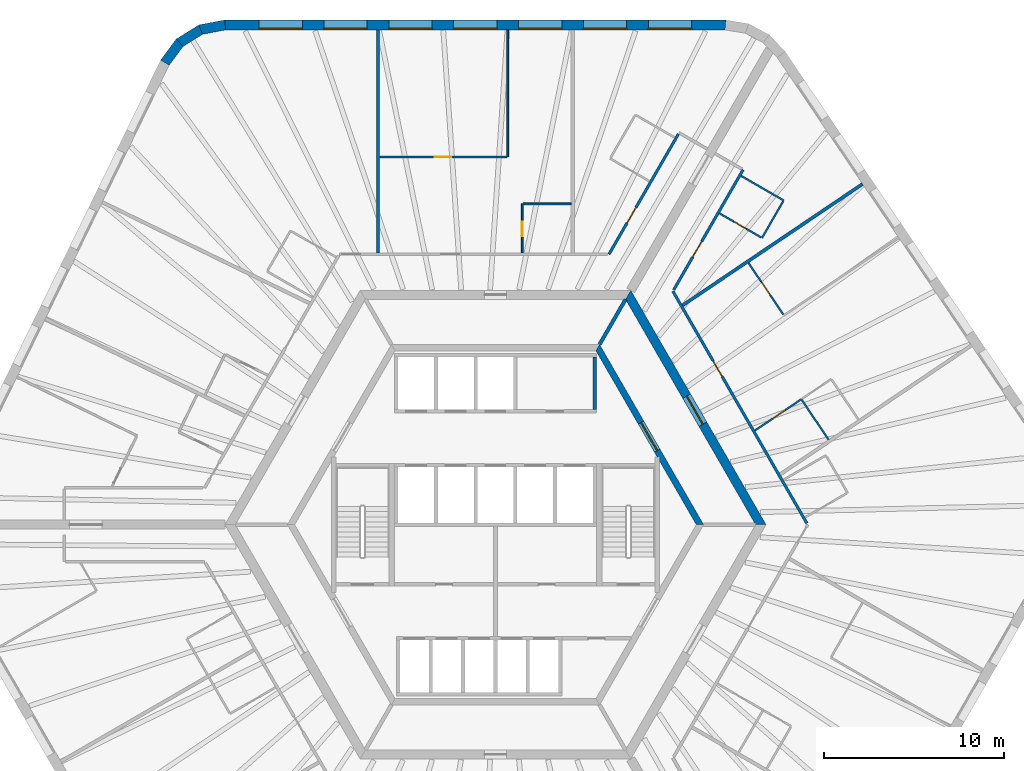
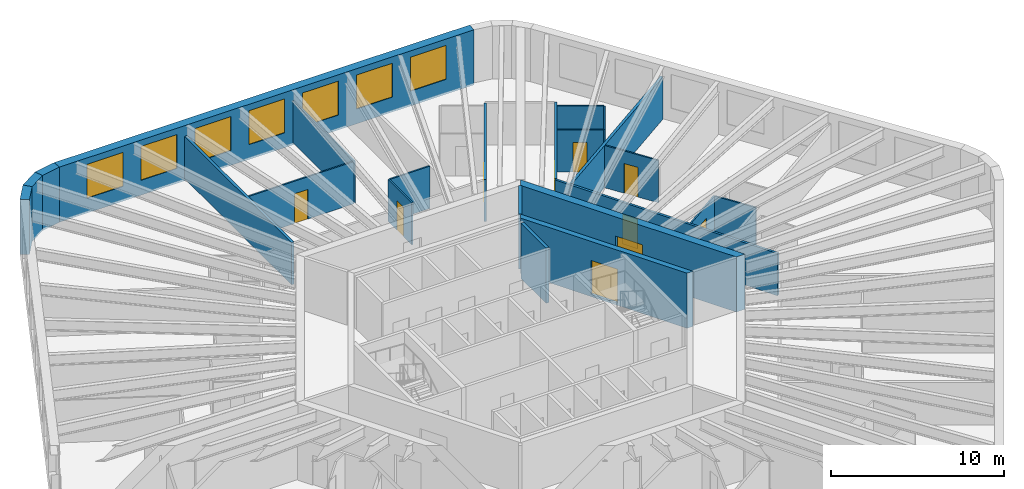
# One storey, part 8 of 10: 23 walls, 10 doors, 7 windows, 17 openings.
"""IFC4 building model written with IfcOpenShell, lengths in metres."""

from ifc_helpers import new_model, si_unit, direction, frame, frame_2d, origin, place, context, subcontext, project, spatial, polyline, rectangle, outline, extrude, material, layer, layer_set, type_object, element, fill, save


model = new_model("IFC4")

# Units and contexts
model_context = context("Model", 3, precision=1e-05, world=origin(), true_north=direction((0.0, 1.0)))
body_context = subcontext(model_context, "Body", "Model", "MODEL_VIEW")
ifc_project = project(units=[si_unit("LENGTHUNIT", "METRE"), si_unit("AREAUNIT", "SQUARE_METRE"), si_unit("VOLUMEUNIT", "CUBIC_METRE"), si_unit("PLANEANGLEUNIT", "RADIAN"), si_unit("MASSUNIT", "GRAM", prefix="KILO")], contexts=[model_context])

# Site, building, storey
site_placement = place(None, origin())
site = spatial("IfcSite", under=ifc_project, at=site_placement, CompositionType="ELEMENT")
building_placement = place(site_placement, origin())
building = spatial("IfcBuilding", under=site, at=building_placement, Name="Tarnside Tower", CompositionType="ELEMENT")
storey_placement = place(building_placement, frame((0.0, 0.0, 191.699951171875)))
storey = spatial("IfcBuildingStorey", under=building, at=storey_placement, Name="L45", CompositionType="ELEMENT", Elevation=191.699951171875)

# Wall, opening, door
ifc_material_1 = material(Name="Gypsum board partition on steel studs", Category="steel")
ifc_layer_1 = layer(ifc_material_1, 0.10009765625)
ifc_layer_set_1 = layer_set([ifc_layer_1], Name="Bathroom wall 100")
wall_type_1 = type_object("IfcWallType", Name="Bathroom wall 100", PredefinedType="PARTITIONING", material=ifc_layer_set_1)
wall_1_placement = place(storey_placement, frame((1.482177734375, 15.074951171875, 0.0), z_axis=(0.0, 0.0, 1.0), x_axis=(0.0, 1.0, 0.0)))
wall_1 = element("IfcWall", 1, at=wall_1_placement, inside=storey, type_object=wall_type_1, Name="Bathroom wall 14058", PredefinedType="PARTITIONING", context=body_context, shape_type="SweptSolid", body=[
    extrude(rectangle(XDim=2.72509765625, YDim=0.10009765625, at=frame_2d((1.362548828125, 0.0))), origin(), (0.0, 0.0, 1.0), 2.98779296875),
])
opening_1_placement = place(wall_1_placement, frame((0.925048828125, 0.0, 0.0)))
opening_1 = element("IfcOpeningElement", 2, at=opening_1_placement, cuts=wall_1, Name="Opening D-B1", PredefinedType="OPENING", context=body_context, shape_type="SweptSolid", body=[
    extrude(rectangle(XDim=0.800048828125, YDim=2.10009765625, at=frame_2d((0.39990234375, 1.050048828125))), frame((0.0, 0.06005859375, 0.0), z_axis=(0.0, -1.0, 0.0), x_axis=(1.0, 0.0, 0.0)), (0.0, 0.0, 1.0), 0.1201171875),
])
ifc_material_2 = material(Name="Timber door leaf", Category="wood")
door_type_1 = type_object("IfcDoorType", Name="Bathroom door 800", OperationType="NOTDEFINED", PredefinedType="DOOR", material=ifc_material_2)
door_1_placement = place(opening_1_placement, origin())
door_1 = element("IfcDoor", 3, at=door_1_placement, inside=storey, type_object=door_type_1, Name="Bathroom door 14004", OperationType="SINGLE_SWING_RIGHT", OverallHeight=2.10009765625, OverallWidth=0.800048828125, PredefinedType="DOOR", context=body_context, shape_type="SweptSolid", body=[
    extrude(rectangle(XDim=0.800048828125, YDim=2.10009765625, at=frame_2d((0.39990234375, 1.050048828125))), frame((0.0, 0.02490234375, 0.0), z_axis=(0.0, -1.0, 0.0), x_axis=(1.0, 0.0, 0.0)), (0.0, 0.0, 1.0), 0.050048828125),
])
fill(opening_1, door_1)

# Wall
wall_2_placement = place(storey_placement, frame((1.5322265625, 17.800048828125, 0.0), z_axis=(0.0, 0.0, 1.0), x_axis=(1.0, 0.0, 0.0)))
element("IfcWall", 4, at=wall_2_placement, inside=storey, type_object=wall_type_1, Name="Bathroom wall 14059", PredefinedType="PARTITIONING", context=body_context, shape_type="SweptSolid", body=[
    extrude(rectangle(XDim=2.659912109375, YDim=0.10009765625, at=frame_2d((1.330078125, 0.0))), origin(), (0.0, 0.0, 1.0), 2.98779296875),
])

# Wall, opening, door
wall_3_placement = place(storey_placement, frame((14.391845703125, 5.22265625, 0.0), z_axis=(0.0, 0.0, 1.0), x_axis=(0.829015360708, 0.559225832477, 0.0)))
wall_3 = element("IfcWall", 5, at=wall_3_placement, inside=storey, type_object=wall_type_1, Name="Bathroom wall 14120", PredefinedType="PARTITIONING", context=body_context, shape_type="SweptSolid", body=[
    extrude(rectangle(XDim=3.106689453125, YDim=0.10009765625, at=frame_2d((1.55322265625, 0.0))), origin(), (0.0, 0.0, 1.0), 2.98779296875),
])
opening_2_placement = place(wall_3_placement, frame((1.20654296875, 0.0, 0.0)))
opening_2 = element("IfcOpeningElement", 6, at=opening_2_placement, cuts=wall_3, Name="Opening D-B1", PredefinedType="OPENING", context=body_context, shape_type="SweptSolid", body=[
    extrude(rectangle(XDim=0.800048828125, YDim=2.10009765625, at=frame_2d((0.39990234375, 1.050048828125))), frame((0.0, 0.06005859375, 0.0), z_axis=(0.0, -1.0, 0.0), x_axis=(1.0, 0.0, 0.0)), (0.0, 0.0, 1.0), 0.1201171875),
])
door_2_placement = place(opening_2_placement, origin())
door_2 = element("IfcDoor", 7, at=door_2_placement, inside=storey, type_object=door_type_1, Name="Bathroom door 14034", OperationType="SINGLE_SWING_LEFT", OverallHeight=2.10009765625, OverallWidth=0.800048828125, PredefinedType="DOOR", context=body_context, shape_type="SweptSolid", body=[
    extrude(rectangle(XDim=0.800048828125, YDim=2.10009765625, at=frame_2d((0.39990234375, 1.050048828125))), frame((0.0, 0.02490234375, 0.0), z_axis=(0.0, -1.0, 0.0), x_axis=(1.0, 0.0, 0.0)), (0.0, 0.0, 1.0), 0.050048828125),
])
fill(opening_2, door_2)

# Walls
wall_4_placement = place(storey_placement, frame((18.482666015625, 4.713134765625, 0.0), z_axis=(0.0, 0.0, 1.0), x_axis=(-0.559140201119, 0.829073118303, 0.0)))
element("IfcWall", 8, at=wall_4_placement, inside=storey, type_object=wall_type_1, Name="Bathroom wall 14126", PredefinedType="PARTITIONING", context=body_context, shape_type="SweptSolid", body=[
    extrude(rectangle(XDim=2.659912109375, YDim=0.10009765625, at=frame_2d((1.330078125, 0.0))), origin(), (0.0, 0.0, 1.0), 2.98779296875),
])
wall_5_placement = place(storey_placement, frame((13.626708984375, 19.352294921875, 0.0), z_axis=(0.0, 0.0, 1.0), x_axis=(0.866012511928, -0.500022328685, 0.0)))
element("IfcWall", 9, at=wall_5_placement, inside=storey, type_object=wall_type_1, Name="Bathroom wall 14128", PredefinedType="PARTITIONING", context=body_context, shape_type="SweptSolid", body=[
    extrude(rectangle(XDim=2.72509765625, YDim=0.10009765625, at=frame_2d((1.362548828125, 0.0))), origin(), (0.0, 0.0, 1.0), 2.98779296875),
])
wall_6_placement = place(storey_placement, frame((15.961669921875, 17.946533203125, 0.0), z_axis=(0.0, 0.0, 1.0), x_axis=(-0.500016218704, -0.866016039709, 0.0)))
element("IfcWall", 10, at=wall_6_placement, inside=storey, type_object=wall_type_1, Name="Bathroom wall 14129", PredefinedType="PARTITIONING", context=body_context, shape_type="SweptSolid", body=[
    extrude(rectangle(XDim=2.35009765625, YDim=0.10009765625, at=frame_2d((1.175048828125, 0.0))), origin(), (0.0, 0.0, 1.0), 2.98779296875),
])

# Wall, opening, door
wall_7_placement = place(storey_placement, frame((14.743408203125, 15.936279296875, 0.0), z_axis=(0.0, 0.0, 1.0), x_axis=(-0.86604424267, 0.499967368674, 0.0)))
wall_7 = element("IfcWall", 11, at=wall_7_placement, inside=storey, type_object=wall_type_1, Name="Bathroom wall 14130", PredefinedType="PARTITIONING", context=body_context, shape_type="SweptSolid", body=[
    extrude(rectangle(XDim=2.675048828125, YDim=0.10009765625, at=frame_2d((1.33740234375, 0.0))), origin(), (0.0, 0.0, 1.0), 2.98779296875),
])
opening_3_placement = place(wall_7_placement, frame((0.949951171875, 0.0, 0.0)))
opening_3 = element("IfcOpeningElement", 12, at=opening_3_placement, cuts=wall_7, Name="Opening D-B1", PredefinedType="OPENING", context=body_context, shape_type="SweptSolid", body=[
    extrude(rectangle(XDim=0.800048828125, YDim=2.10009765625, at=frame_2d((0.39990234375, 1.050048828125))), frame((0.0, 0.06005859375, 0.0), z_axis=(0.0, -1.0, 0.0), x_axis=(1.0, 0.0, 0.0)), (0.0, 0.0, 1.0), 0.1201171875),
])
door_3_placement = place(opening_3_placement, origin())
door_3 = element("IfcDoor", 13, at=door_3_placement, inside=storey, type_object=door_type_1, Name="Bathroom door 14038", OperationType="SINGLE_SWING_RIGHT", OverallHeight=2.10009765625, OverallWidth=0.800048828125, PredefinedType="DOOR", context=body_context, shape_type="SweptSolid", body=[
    extrude(rectangle(XDim=0.800048828125, YDim=2.10009765625, at=frame_2d((0.39990234375, 1.050048828125))), frame((0.0, 0.02490234375, 0.0), z_axis=(0.0, -1.0, 0.0), x_axis=(1.0, 0.0, 0.0)), (0.0, 0.0, 1.0), 0.050048828125),
])
fill(opening_3, door_3)

ifc_material_3 = material(Name="Concrete C50/60", Category="concrete")
ifc_layer_2 = layer(ifc_material_3, 0.35009765625)
ifc_layer_set_2 = layer_set([ifc_layer_2], Name="Core block wall 350 C50/60")
wall_type_2 = type_object("IfcWallType", Name="Core block wall 350 C50/60", PredefinedType="SHEAR", material=ifc_layer_set_2)
wall_8_placement = place(storey_placement, frame((11.344970703125, 0.0, -0.14990234375), z_axis=(0.0, 0.0, 1.0), x_axis=(-0.499995046907, 0.866028263435, 0.0)))
wall_8 = element("IfcWall", 14, at=wall_8_placement, inside=storey, type_object=wall_type_2, Name="L45 core block wall face 6", PredefinedType="SHEAR", context=body_context, shape_type="SweptSolid", body=[
    extrude(outline(polyline([(-0.10107421875, -0.175048828125), (11.44580078125, -0.175048828125), (11.24365234375, 0.175048828125), (0.10107421875, 0.175048828125), (-0.10107421875, -0.175048828125)])), origin(), (0.0, 0.0, 1.0), 3.89990234375),
])
opening_4_placement = place(wall_8_placement, frame((4.74365234375, 0.0, 0.14990234375)))
opening_4 = element("IfcOpeningElement", 15, at=opening_4_placement, cuts=wall_8, Name="Opening CD-LOB", PredefinedType="OPENING", context=body_context, shape_type="SweptSolid", body=[
    extrude(rectangle(XDim=1.800048828125, YDim=2.39990234375, at=frame_2d((0.89990234375, 1.199951171875))), frame((0.0, 0.18505859375, 0.0), z_axis=(0.0, -1.0, 0.0), x_axis=(1.0, 0.0, 0.0)), (0.0, 0.0, 1.0), 0.3701171875),
])
ifc_material_4 = material(Name="Steel fire door", Category="steel")
door_type_2 = type_object("IfcDoorType", Name="Lobby double door FD30S 1800x2400", OperationType="NOTDEFINED", PredefinedType="DOOR", material=ifc_material_4)
door_4_placement = place(opening_4_placement, origin())
door_4 = element("IfcDoor", 16, at=door_4_placement, inside=storey, type_object=door_type_2, Name="L45 lobby block door P2", OperationType="DOUBLE_DOOR_SINGLE_SWING", OverallHeight=2.39990234375, OverallWidth=1.800048828125, PredefinedType="DOOR", context=body_context, shape_type="SweptSolid", body=[
    extrude(rectangle(XDim=1.800048828125, YDim=2.39990234375, at=frame_2d((0.89990234375, 1.199951171875))), frame((0.0, 0.02490234375, 0.0), z_axis=(0.0, -1.0, 0.0), x_axis=(1.0, 0.0, 0.0)), (0.0, 0.0, 1.0), 0.050048828125),
])
fill(opening_4, door_4)

ifc_material_5 = material(Name="Concrete C70/85", Category="concrete")
ifc_layer_3 = layer(ifc_material_5, 0.5)
ifc_layer_set_3 = layer_set([ifc_layer_3], Name="Core wall Z2 500 C70/85")
wall_type_3 = type_object("IfcWallType", Name="Core wall Z2 500 C70/85", PredefinedType="SHEAR", material=ifc_layer_set_3)
wall_9_placement = place(storey_placement, frame((14.722412109375, 0.0, -0.14990234375), z_axis=(0.0, 0.0, 1.0), x_axis=(-0.50000571537, 0.866022103989, 0.0)))
wall_9 = element("IfcWall", 17, at=wall_9_placement, inside=storey, type_object=wall_type_3, Name="L45 core wall face 6", PredefinedType="SHEAR", context=body_context, shape_type="SweptSolid", body=[
    extrude(outline(polyline([(-0.144287109375, -0.25), (14.86669921875, -0.25), (14.578125, 0.25), (0.144287109375, 0.25), (-0.144287109375, -0.25)])), origin(), (0.0, 0.0, 1.0), 3.89990234375),
])
opening_5_placement = place(wall_9_placement, frame((6.432373046875, 0.0, 0.14990234375)))
opening_5 = element("IfcOpeningElement", 18, at=opening_5_placement, cuts=wall_9, Name="Opening CD-LOB", PredefinedType="OPENING", context=body_context, shape_type="SweptSolid", body=[
    extrude(rectangle(XDim=1.800048828125, YDim=2.39990234375, at=frame_2d((0.89990234375, 1.199951171875))), frame((0.0, 0.260009765625, 0.0), z_axis=(0.0, -1.0, 0.0), x_axis=(1.0, 0.0, 0.0)), (0.0, 0.0, 1.0), 0.52001953125),
])
door_5_placement = place(opening_5_placement, origin())
door_5 = element("IfcDoor", 19, at=door_5_placement, inside=storey, type_object=door_type_2, Name="L45 core door P2", OperationType="DOUBLE_DOOR_SINGLE_SWING", OverallHeight=2.39990234375, OverallWidth=1.800048828125, PredefinedType="DOOR", context=body_context, shape_type="SweptSolid", body=[
    extrude(rectangle(XDim=1.800048828125, YDim=2.39990234375, at=frame_2d((0.89990234375, 1.199951171875))), frame((0.0, 0.02490234375, 0.0), z_axis=(0.0, -1.0, 0.0), x_axis=(1.0, 0.0, 0.0)), (0.0, 0.0, 1.0), 0.050048828125),
])
fill(opening_5, door_5)

ifc_layer_4 = layer(ifc_material_1, 0.14990234375)
ifc_layer_set_4 = layer_set([ifc_layer_4], Name="Corridor wall 150 EI 60")
wall_type_4 = type_object("IfcWallType", Name="Corridor wall 150 EI 60", PredefinedType="PARTITIONING", material=ifc_layer_set_4)
wall_10_placement = place(storey_placement, frame((10.148681640625, 21.677978515625, 0.0), z_axis=(0.0, 0.0, 1.0), x_axis=(-0.499993780622, -0.866028994514, 0.0)))
wall_10 = element("IfcWall", 20, at=wall_10_placement, inside=storey, type_object=wall_type_4, Name="Corridor wall 14001", PredefinedType="PARTITIONING", context=body_context, shape_type="SweptSolid", body=[
    extrude(rectangle(XDim=7.7109375, YDim=0.14990234375, at=frame_2d((3.85546875, 0.0))), origin(), (0.0, 0.0, 1.0), 2.98779296875),
])
opening_6_placement = place(wall_10_placement, frame((4.718017578125, 0.0, 0.0)))
opening_6 = element("IfcOpeningElement", 21, at=opening_6_placement, cuts=wall_10, Name="Opening D-E1", PredefinedType="OPENING", context=body_context, shape_type="SweptSolid", body=[
    extrude(rectangle(XDim=1.0, YDim=2.10009765625, at=frame_2d((0.5, 1.050048828125))), frame((0.0, 0.0849609375, 0.0), z_axis=(0.0, -1.0, 0.0), x_axis=(1.0, 0.0, 0.0)), (0.0, 0.0, 1.0), 0.169921875),
])
door_type_3 = type_object("IfcDoorType", Name="Unit entrance door 1000 FD30S", OperationType="NOTDEFINED", PredefinedType="DOOR", material=ifc_material_2)
door_6_placement = place(opening_6_placement, origin())
door_6 = element("IfcDoor", 22, at=door_6_placement, inside=storey, type_object=door_type_3, Name="Unit door 14001", OperationType="SINGLE_SWING_LEFT", OverallHeight=2.10009765625, OverallWidth=1.0, PredefinedType="DOOR", context=body_context, shape_type="SweptSolid", body=[
    extrude(rectangle(XDim=1.0, YDim=2.10009765625, at=frame_2d((0.5, 1.050048828125))), frame((0.0, 0.02490234375, 0.0), z_axis=(0.0, -1.0, 0.0), x_axis=(1.0, 0.0, 0.0)), (0.0, 0.0, 1.0), 0.050048828125),
])
fill(opening_6, door_6)

wall_11_placement = place(storey_placement, frame((17.277099609375, 0.074951171875, 0.0), z_axis=(0.0, 0.0, 1.0), x_axis=(-0.499998228944, 0.866026426302, 0.0)))
wall_11 = element("IfcWall", 23, at=wall_11_placement, inside=storey, type_object=wall_type_4, Name="Corridor wall 14042", PredefinedType="PARTITIONING", context=body_context, shape_type="SweptSolid", body=[
    extrude(rectangle(XDim=14.86669921875, YDim=0.14990234375, at=frame_2d((7.433349609375, 0.0))), origin(), (0.0, 0.0, 1.0), 2.98779296875),
])
opening_7_placement = place(wall_11_placement, frame((9.3984375, 0.0, 0.0)))
opening_7 = element("IfcOpeningElement", 24, at=opening_7_placement, cuts=wall_11, Name="Opening D-E1", PredefinedType="OPENING", context=body_context, shape_type="SweptSolid", body=[
    extrude(rectangle(XDim=1.0, YDim=2.10009765625, at=frame_2d((0.5, 1.050048828125))), frame((0.0, 0.0849609375, 0.0), z_axis=(0.0, -1.0, 0.0), x_axis=(1.0, 0.0, 0.0)), (0.0, 0.0, 1.0), 0.169921875),
])
door_7_placement = place(opening_7_placement, origin())
door_7 = element("IfcDoor", 25, at=door_7_placement, inside=storey, type_object=door_type_3, Name="Unit door 14033", OperationType="SINGLE_SWING_RIGHT", OverallHeight=2.10009765625, OverallWidth=1.0, PredefinedType="DOOR", context=body_context, shape_type="SweptSolid", body=[
    extrude(rectangle(XDim=1.0, YDim=2.10009765625, at=frame_2d((0.5, 1.050048828125))), frame((0.0, 0.02490234375, 0.0), z_axis=(0.0, -1.0, 0.0), x_axis=(1.0, 0.0, 0.0)), (0.0, 0.0, 1.0), 0.050048828125),
])
fill(opening_7, door_7)

wall_12_placement = place(storey_placement, frame((9.88720703125, 13.02490234375, 0.0), z_axis=(0.0, 0.0, 1.0), x_axis=(0.499985955615, 0.866033512162, 0.0)))
wall_12 = element("IfcWall", 26, at=wall_12_placement, inside=storey, type_object=wall_type_4, Name="Corridor wall 14049", PredefinedType="PARTITIONING", context=body_context, shape_type="SweptSolid", body=[
    extrude(rectangle(XDim=7.699462890625, YDim=0.14990234375, at=frame_2d((3.849609375, 0.0))), origin(), (0.0, 0.0, 1.0), 2.98779296875),
])
opening_8_placement = place(wall_12_placement, frame((2.1064453125, 0.0, 0.0)))
opening_8 = element("IfcOpeningElement", 27, at=opening_8_placement, cuts=wall_12, Name="Opening D-E1", PredefinedType="OPENING", context=body_context, shape_type="SweptSolid", body=[
    extrude(rectangle(XDim=1.0, YDim=2.10009765625, at=frame_2d((0.5, 1.050048828125))), frame((0.0, 0.0849609375, 0.0), z_axis=(0.0, -1.0, 0.0), x_axis=(1.0, 0.0, 0.0)), (0.0, 0.0, 1.0), 0.169921875),
])
door_8_placement = place(opening_8_placement, origin())
door_8 = element("IfcDoor", 28, at=door_8_placement, inside=storey, type_object=door_type_3, Name="Unit door 14037", OperationType="SINGLE_SWING_RIGHT", OverallHeight=2.10009765625, OverallWidth=1.0, PredefinedType="DOOR", context=body_context, shape_type="SweptSolid", body=[
    extrude(rectangle(XDim=1.0, YDim=2.10009765625, at=frame_2d((0.5, 1.050048828125))), frame((0.0, 0.02490234375, 0.0), z_axis=(0.0, -1.0, 0.0), x_axis=(1.0, 0.0, 0.0)), (0.0, 0.0, 1.0), 0.050048828125),
])
fill(opening_8, door_8)

# Walls
ifc_layer_5 = layer(ifc_material_1, 0.179931640625)
ifc_layer_set_5 = layer_set([ifc_layer_5], Name="Demising wall 180 EI 60")
wall_type_5 = type_object("IfcWallType", Name="Demising wall 180 EI 60", PredefinedType="PARTITIONING", material=ifc_layer_set_5)
wall_13_placement = place(storey_placement, frame((-6.517822265625, 27.449951171875, 0.0), z_axis=(0.0, 0.0, 1.0), x_axis=(0.0, -1.0, 0.0)))
element("IfcWall", 29, at=wall_13_placement, inside=storey, type_object=wall_type_5, Name="Demising wall 14062", PredefinedType="PARTITIONING", context=body_context, shape_type="SweptSolid", body=[
    extrude(rectangle(XDim=12.375, YDim=0.179931640625, at=frame_2d((6.1875, 0.0))), origin(), (0.0, 0.0, 1.0), 2.98779296875),
])
wall_14_placement = place(storey_placement, frame((20.362548828125, 18.89990234375, 0.0), z_axis=(0.0, 0.0, 1.0), x_axis=(-0.829027307641, -0.559208121531, 0.0)))
element("IfcWall", 30, at=wall_14_placement, inside=storey, type_object=wall_type_5, Name="Demising wall 14125", PredefinedType="PARTITIONING", context=body_context, shape_type="SweptSolid", body=[
    extrude(rectangle(XDim=12.038818359375, YDim=0.179931640625, at=frame_2d((6.01953125, 0.0))), origin(), (0.0, 0.0, 1.0), 2.98779296875),
])
ifc_material_6 = material(Name="Concrete C40/50", Category="concrete")
ifc_layer_6 = layer(ifc_material_6, 0.199951171875)
ifc_layer_set_6 = layer_set([ifc_layer_6], Name="Lift shaft wall 200 C40/50")
wall_type_6 = type_object("IfcWallType", Name="Lift shaft wall 200 C40/50", PredefinedType="SHEAR", material=ifc_layer_set_6)
wall_15_placement = place(storey_placement, frame((5.5, 6.39990234375, -0.25), z_axis=(0.0, 0.0, 1.0), x_axis=(0.0, 1.0, 0.0)))
element("IfcWall", 31, at=wall_15_placement, inside=storey, type_object=wall_type_6, Name="L45 lift shaft partition R16", PredefinedType="SHEAR", context=body_context, shape_type="SweptSolid", body=[
    extrude(rectangle(XDim=2.900146484375, YDim=0.199951171875, at=frame_2d((1.4501953125, 0.0))), origin(), (0.0, 0.0, 1.0), 3.900146484375),
])
wall_16_placement = place(storey_placement, frame((5.7734375, 10.0, -0.14990234375), z_axis=(0.0, 0.0, 1.0), x_axis=(0.499995765644, 0.866027848477, 0.0)))
element("IfcWall", 32, at=wall_16_placement, inside=storey, type_object=wall_type_6, Name="L45 core partition AR60", PredefinedType="SHEAR", context=body_context, shape_type="SweptSolid", body=[
    extrude(rectangle(XDim=2.88671875, YDim=0.199951171875, at=frame_2d((1.443359375, 0.0))), origin(), (0.0, 0.0, 1.0), 3.89990234375),
])
ifc_layer_7 = layer(ifc_material_1, 0.10009765625)
ifc_layer_set_7 = layer_set([ifc_layer_7], Name="Partition 100")
wall_type_7 = type_object("IfcWallType", Name="Partition 100", PredefinedType="PARTITIONING", material=ifc_layer_set_7)
wall_17_placement = place(storey_placement, frame((0.68212890625, 27.449951171875, 0.0), z_axis=(0.0, 0.0, 1.0), x_axis=(0.0, -1.0, 0.0)))
element("IfcWall", 33, at=wall_17_placement, inside=storey, type_object=wall_type_7, Name="Partition wall 14060", PredefinedType="PARTITIONING", context=body_context, shape_type="SweptSolid", body=[
    extrude(rectangle(XDim=7.050048828125, YDim=0.10009765625, at=frame_2d((3.52490234375, 0.0))), origin(), (0.0, 0.0, 1.0), 2.98779296875),
])

# Wall, opening, door
wall_18_placement = place(storey_placement, frame((0.632080078125, 20.39990234375, 0.0), z_axis=(0.0, 0.0, 1.0), x_axis=(-1.0, 0.0, 0.0)))
wall_18 = element("IfcWall", 34, at=wall_18_placement, inside=storey, type_object=wall_type_7, Name="Partition wall 14061", PredefinedType="PARTITIONING", context=body_context, shape_type="SweptSolid", body=[
    extrude(rectangle(XDim=7.06005859375, YDim=0.10009765625, at=frame_2d((3.530029296875, 0.0))), origin(), (0.0, 0.0, 1.0), 2.98779296875),
])
opening_9_placement = place(wall_18_placement, frame((3.10009765625, 0.0, 0.0)))
opening_9 = element("IfcOpeningElement", 35, at=opening_9_placement, cuts=wall_18, Name="Opening D-I1", PredefinedType="OPENING", context=body_context, shape_type="SweptSolid", body=[
    extrude(rectangle(XDim=0.89990234375, YDim=2.10009765625, at=frame_2d((0.449951171875, 1.050048828125))), frame((0.0, 0.06005859375, 0.0), z_axis=(0.0, -1.0, 0.0), x_axis=(1.0, 0.0, 0.0)), (0.0, 0.0, 1.0), 0.1201171875),
])
door_type_4 = type_object("IfcDoorType", Name="Internal door 900", OperationType="NOTDEFINED", PredefinedType="DOOR", material=ifc_material_2)
door_9_placement = place(opening_9_placement, origin())
door_9 = element("IfcDoor", 36, at=door_9_placement, inside=storey, type_object=door_type_4, Name="Internal door 14005", OperationType="SINGLE_SWING_LEFT", OverallHeight=2.10009765625, OverallWidth=0.89990234375, PredefinedType="DOOR", context=body_context, shape_type="SweptSolid", body=[
    extrude(rectangle(XDim=0.89990234375, YDim=2.10009765625, at=frame_2d((0.449951171875, 1.050048828125))), frame((0.0, 0.02490234375, 0.0), z_axis=(0.0, -1.0, 0.0), x_axis=(1.0, 0.0, 0.0)), (0.0, 0.0, 1.0), 0.050048828125),
])
fill(opening_9, door_9)

wall_19_placement = place(storey_placement, frame((15.97119140625, 11.65576171875, 0.0), z_axis=(0.0, 0.0, 1.0), x_axis=(-0.559202575539, 0.829031048581, 0.0)))
wall_19 = element("IfcWall", 37, at=wall_19_placement, inside=storey, type_object=wall_type_7, Name="Partition wall 14124", PredefinedType="PARTITIONING", context=body_context, shape_type="SweptSolid", body=[
    extrude(rectangle(XDim=3.4599609375, YDim=0.10009765625, at=frame_2d((1.72998046875, 0.0))), origin(), (0.0, 0.0, 1.0), 2.98779296875),
])
opening_10_placement = place(wall_19_placement, frame((1.300048828125, 0.0, 0.0)))
opening_10 = element("IfcOpeningElement", 38, at=opening_10_placement, cuts=wall_19, Name="Opening D-I1", PredefinedType="OPENING", context=body_context, shape_type="SweptSolid", body=[
    extrude(rectangle(XDim=0.89990234375, YDim=2.10009765625, at=frame_2d((0.449951171875, 1.050048828125))), frame((0.0, 0.06005859375, 0.0), z_axis=(0.0, -1.0, 0.0), x_axis=(1.0, 0.0, 0.0)), (0.0, 0.0, 1.0), 0.1201171875),
])
door_10_placement = place(opening_10_placement, origin())
door_10 = element("IfcDoor", 39, at=door_10_placement, inside=storey, type_object=door_type_4, Name="Internal door 14036", OperationType="SINGLE_SWING_LEFT", OverallHeight=2.10009765625, OverallWidth=0.89990234375, PredefinedType="DOOR", context=body_context, shape_type="SweptSolid", body=[
    extrude(rectangle(XDim=0.89990234375, YDim=2.10009765625, at=frame_2d((0.449951171875, 1.050048828125))), frame((0.0, 0.02490234375, 0.0), z_axis=(0.0, -1.0, 0.0), x_axis=(1.0, 0.0, 0.0)), (0.0, 0.0, 1.0), 0.050048828125),
])
fill(opening_10, door_10)

# Wall, openings, windows
ifc_material_7 = material(Name="Facing brick", Category="masonry")
ifc_layer_8 = layer(ifc_material_7, 0.10205078125)
ifc_material_8 = material(Name="Concrete C60/75 precast", Category="concrete")
ifc_layer_9 = layer(ifc_material_8, 0.347900390625)
ifc_material_9 = material(Name="Mineral wool insulation")
ifc_layer_10 = layer(ifc_material_9, 0.10009765625)
ifc_layer_set_8 = layer_set([ifc_layer_8, ifc_layer_9, ifc_layer_10], Name="Tube wall 550 brick faced")
wall_type_8 = type_object("IfcWallType", Name="Tube wall 550 brick faced", PredefinedType="SOLIDWALL", material=ifc_layer_set_8)
wall_20_placement = place(storey_placement, frame((12.760986328125, 27.72509765625, -0.14990234375), z_axis=(0.0, 0.0, 1.0), x_axis=(-1.0, 0.0, 0.0)))
wall_20 = element("IfcWall", 40, at=wall_20_placement, inside=storey, type_object=wall_type_8, Name="Tube wall L45 F1 flush 00", PredefinedType="SOLIDWALL", context=body_context, shape_type="SweptSolid", body=[
    extrude(outline(polyline([(-0.0224609375, -0.27490234375), (27.783447265625, -0.27490234375), (27.732177734375, 0.27490234375), (0.0224609375, 0.27490234375), (-0.0224609375, -0.27490234375)])), origin(), (0.0, 0.0, 1.0), 3.89990234375),
])
opening_11_placement = place(wall_20_placement, frame((1.87890625, 0.0, 1.050048828125)))
opening_11 = element("IfcOpeningElement", 41, at=opening_11_placement, cuts=wall_20, Name="Opening WH", PredefinedType="OPENING", context=body_context, shape_type="SweptSolid", body=[
    extrude(rectangle(XDim=2.39990234375, YDim=2.39990234375, at=frame_2d((1.199951171875, 1.199951171875))), frame((0.0, 0.28515625, 0.0), z_axis=(0.0, -1.0, 0.0), x_axis=(1.0, 0.0, 0.0)), (0.0, 0.0, 1.0), 0.570068359375),
])
opening_12_placement = place(wall_20_placement, frame((5.47900390625, 0.0, 1.050048828125)))
opening_12 = element("IfcOpeningElement", 42, at=opening_12_placement, cuts=wall_20, Name="Opening WH", PredefinedType="OPENING", context=body_context, shape_type="SweptSolid", body=[
    extrude(rectangle(XDim=2.39990234375, YDim=2.39990234375, at=frame_2d((1.199951171875, 1.199951171875))), frame((0.0, 0.28515625, 0.0), z_axis=(0.0, -1.0, 0.0), x_axis=(1.0, 0.0, 0.0)), (0.0, 0.0, 1.0), 0.570068359375),
])
opening_13_placement = place(wall_20_placement, frame((9.078857421875, 0.0, 1.050048828125)))
opening_13 = element("IfcOpeningElement", 43, at=opening_13_placement, cuts=wall_20, Name="Opening WH", PredefinedType="OPENING", context=body_context, shape_type="SweptSolid", body=[
    extrude(rectangle(XDim=2.39990234375, YDim=2.39990234375, at=frame_2d((1.199951171875, 1.199951171875))), frame((0.0, 0.28515625, 0.0), z_axis=(0.0, -1.0, 0.0), x_axis=(1.0, 0.0, 0.0)), (0.0, 0.0, 1.0), 0.570068359375),
])
opening_14_placement = place(wall_20_placement, frame((12.678955078125, 0.0, 1.050048828125)))
opening_14 = element("IfcOpeningElement", 44, at=opening_14_placement, cuts=wall_20, Name="Opening WH", PredefinedType="OPENING", context=body_context, shape_type="SweptSolid", body=[
    extrude(rectangle(XDim=2.39990234375, YDim=2.39990234375, at=frame_2d((1.199951171875, 1.199951171875))), frame((0.0, 0.28515625, 0.0), z_axis=(0.0, -1.0, 0.0), x_axis=(1.0, 0.0, 0.0)), (0.0, 0.0, 1.0), 0.570068359375),
])
opening_15_placement = place(wall_20_placement, frame((16.27880859375, 0.0, 1.050048828125)))
opening_15 = element("IfcOpeningElement", 45, at=opening_15_placement, cuts=wall_20, Name="Opening WH", PredefinedType="OPENING", context=body_context, shape_type="SweptSolid", body=[
    extrude(rectangle(XDim=2.39990234375, YDim=2.39990234375, at=frame_2d((1.199951171875, 1.199951171875))), frame((0.0, 0.28515625, 0.0), z_axis=(0.0, -1.0, 0.0), x_axis=(1.0, 0.0, 0.0)), (0.0, 0.0, 1.0), 0.570068359375),
])
opening_16_placement = place(wall_20_placement, frame((19.87890625, 0.0, 1.050048828125)))
opening_16 = element("IfcOpeningElement", 46, at=opening_16_placement, cuts=wall_20, Name="Opening WH", PredefinedType="OPENING", context=body_context, shape_type="SweptSolid", body=[
    extrude(rectangle(XDim=2.39990234375, YDim=2.39990234375, at=frame_2d((1.199951171875, 1.199951171875))), frame((0.0, 0.28515625, 0.0), z_axis=(0.0, -1.0, 0.0), x_axis=(1.0, 0.0, 0.0)), (0.0, 0.0, 1.0), 0.570068359375),
])
opening_17_placement = place(wall_20_placement, frame((23.47900390625, 0.0, 1.050048828125)))
opening_17 = element("IfcOpeningElement", 47, at=opening_17_placement, cuts=wall_20, Name="Opening WH", PredefinedType="OPENING", context=body_context, shape_type="SweptSolid", body=[
    extrude(rectangle(XDim=2.39990234375, YDim=2.39990234375, at=frame_2d((1.199951171875, 1.199951171875))), frame((0.0, 0.28515625, 0.0), z_axis=(0.0, -1.0, 0.0), x_axis=(1.0, 0.0, 0.0)), (0.0, 0.0, 1.0), 0.570068359375),
])
ifc_material_10 = material(Name="Aluminium-framed double glazing", Category="aluminium")
window_type = type_object("IfcWindowType", Name="Hotel window 2400 x 2400", PartitioningType="DOUBLE_PANEL_VERTICAL", PredefinedType="WINDOW", material=ifc_material_10)
window_1_placement = place(opening_11_placement, frame((0.0, 0.205078125, 0.0)))
window_1 = element("IfcWindow", 48, at=window_1_placement, inside=storey, type_object=window_type, Name="E.WN.L45.F1.00", OverallHeight=2.39990234375, OverallWidth=2.39990234375, PartitioningType="DOUBLE_PANEL_VERTICAL", PredefinedType="WINDOW", context=body_context, shape_type="SweptSolid", body=[
    extrude(rectangle(XDim=2.39990234375, YDim=2.39990234375, at=frame_2d((1.199951171875, 1.199951171875))), frame((0.0, 0.030029296875, 0.0), z_axis=(0.0, -1.0, 0.0), x_axis=(1.0, 0.0, 0.0)), (0.0, 0.0, 1.0), 0.06005859375),
])
fill(opening_11, window_1)
window_2_placement = place(opening_12_placement, frame((0.0, 0.205078125, 0.0)))
window_2 = element("IfcWindow", 49, at=window_2_placement, inside=storey, type_object=window_type, Name="E.WN.L45.F1.01", OverallHeight=2.39990234375, OverallWidth=2.39990234375, PartitioningType="DOUBLE_PANEL_VERTICAL", PredefinedType="WINDOW", context=body_context, shape_type="SweptSolid", body=[
    extrude(rectangle(XDim=2.39990234375, YDim=2.39990234375, at=frame_2d((1.199951171875, 1.199951171875))), frame((0.0, 0.030029296875, 0.0), z_axis=(0.0, -1.0, 0.0), x_axis=(1.0, 0.0, 0.0)), (0.0, 0.0, 1.0), 0.06005859375),
])
fill(opening_12, window_2)
window_3_placement = place(opening_13_placement, frame((0.0, 0.205078125, 0.0)))
window_3 = element("IfcWindow", 50, at=window_3_placement, inside=storey, type_object=window_type, Name="E.WN.L45.F1.02", OverallHeight=2.39990234375, OverallWidth=2.39990234375, PartitioningType="DOUBLE_PANEL_VERTICAL", PredefinedType="WINDOW", context=body_context, shape_type="SweptSolid", body=[
    extrude(rectangle(XDim=2.39990234375, YDim=2.39990234375, at=frame_2d((1.199951171875, 1.199951171875))), frame((0.0, 0.030029296875, 0.0), z_axis=(0.0, -1.0, 0.0), x_axis=(1.0, 0.0, 0.0)), (0.0, 0.0, 1.0), 0.06005859375),
])
fill(opening_13, window_3)
window_4_placement = place(opening_14_placement, frame((0.0, 0.205078125, 0.0)))
window_4 = element("IfcWindow", 51, at=window_4_placement, inside=storey, type_object=window_type, Name="E.WN.L45.F1.03", OverallHeight=2.39990234375, OverallWidth=2.39990234375, PartitioningType="DOUBLE_PANEL_VERTICAL", PredefinedType="WINDOW", context=body_context, shape_type="SweptSolid", body=[
    extrude(rectangle(XDim=2.39990234375, YDim=2.39990234375, at=frame_2d((1.199951171875, 1.199951171875))), frame((0.0, 0.030029296875, 0.0), z_axis=(0.0, -1.0, 0.0), x_axis=(1.0, 0.0, 0.0)), (0.0, 0.0, 1.0), 0.06005859375),
])
fill(opening_14, window_4)
window_5_placement = place(opening_15_placement, frame((0.0, 0.205078125, 0.0)))
window_5 = element("IfcWindow", 52, at=window_5_placement, inside=storey, type_object=window_type, Name="E.WN.L45.F1.04", OverallHeight=2.39990234375, OverallWidth=2.39990234375, PartitioningType="DOUBLE_PANEL_VERTICAL", PredefinedType="WINDOW", context=body_context, shape_type="SweptSolid", body=[
    extrude(rectangle(XDim=2.39990234375, YDim=2.39990234375, at=frame_2d((1.199951171875, 1.199951171875))), frame((0.0, 0.030029296875, 0.0), z_axis=(0.0, -1.0, 0.0), x_axis=(1.0, 0.0, 0.0)), (0.0, 0.0, 1.0), 0.06005859375),
])
fill(opening_15, window_5)
window_6_placement = place(opening_16_placement, frame((0.0, 0.205078125, 0.0)))
window_6 = element("IfcWindow", 53, at=window_6_placement, inside=storey, type_object=window_type, Name="E.WN.L45.F1.05", OverallHeight=2.39990234375, OverallWidth=2.39990234375, PartitioningType="DOUBLE_PANEL_VERTICAL", PredefinedType="WINDOW", context=body_context, shape_type="SweptSolid", body=[
    extrude(rectangle(XDim=2.39990234375, YDim=2.39990234375, at=frame_2d((1.199951171875, 1.199951171875))), frame((0.0, 0.030029296875, 0.0), z_axis=(0.0, -1.0, 0.0), x_axis=(1.0, 0.0, 0.0)), (0.0, 0.0, 1.0), 0.06005859375),
])
fill(opening_16, window_6)
window_7_placement = place(opening_17_placement, frame((0.0, 0.205078125, 0.0)))
window_7 = element("IfcWindow", 54, at=window_7_placement, inside=storey, type_object=window_type, Name="E.WN.L45.F1.06", OverallHeight=2.39990234375, OverallWidth=2.39990234375, PartitioningType="DOUBLE_PANEL_VERTICAL", PredefinedType="WINDOW", context=body_context, shape_type="SweptSolid", body=[
    extrude(rectangle(XDim=2.39990234375, YDim=2.39990234375, at=frame_2d((1.199951171875, 1.199951171875))), frame((0.0, 0.030029296875, 0.0), z_axis=(0.0, -1.0, 0.0), x_axis=(1.0, 0.0, 0.0)), (0.0, 0.0, 1.0), 0.06005859375),
])
fill(opening_17, window_7)

# Walls
wall_21_placement = place(storey_placement, frame((-14.996826171875, 27.72509765625, -0.14990234375), z_axis=(0.0, 0.0, 1.0), x_axis=(-0.982705443133, -0.185175624845, 0.0)))
element("IfcWall", 55, at=wall_21_placement, inside=storey, type_object=wall_type_8, Name="Tube wall L45 F1 chord 01", PredefinedType="SOLIDWALL", context=body_context, shape_type="SweptSolid", body=[
    extrude(outline(polyline([(-0.025634765625, -0.27490234375), (1.430908203125, -0.27490234375), (1.327392578125, 0.27490234375), (0.025634765625, 0.27490234375), (-0.025634765625, -0.27490234375)])), origin(), (0.0, 0.0, 1.0), 3.89990234375),
])
wall_22_placement = place(storey_placement, frame((-16.35205078125, 27.4697265625, -0.14990234375), z_axis=(0.0, 0.0, 1.0), x_axis=(-0.848057977594, -0.5299034503, 0.0)))
element("IfcWall", 56, at=wall_22_placement, inside=storey, type_object=wall_type_8, Name="Tube wall L45 F1 chord 02", PredefinedType="SOLIDWALL", context=body_context, shape_type="SweptSolid", body=[
    extrude(outline(polyline([(-0.0517578125, -0.27490234375), (1.4306640625, -0.27490234375), (1.3271484375, 0.27490234375), (0.0517578125, 0.27490234375), (-0.0517578125, -0.27490234375)])), origin(), (0.0, 0.0, 1.0), 3.89990234375),
])
wall_23_placement = place(storey_placement, frame((-17.521484375, 26.739013671875, -0.14990234375), z_axis=(0.0, 0.0, 1.0), x_axis=(-0.597135295884, -0.802140535324, 0.0)))
element("IfcWall", 57, at=wall_23_placement, inside=storey, type_object=wall_type_8, Name="Tube wall L45 F1 chord 03", PredefinedType="SOLIDWALL", context=body_context, shape_type="SweptSolid", body=[
    extrude(outline(polyline([(-0.0517578125, -0.27490234375), (1.40478515625, -0.27490234375), (1.353515625, 0.27490234375), (0.0517578125, 0.27490234375), (-0.0517578125, -0.27490234375)])), origin(), (0.0, 0.0, 1.0), 3.89990234375),
])

save(model, "model.ifc")
